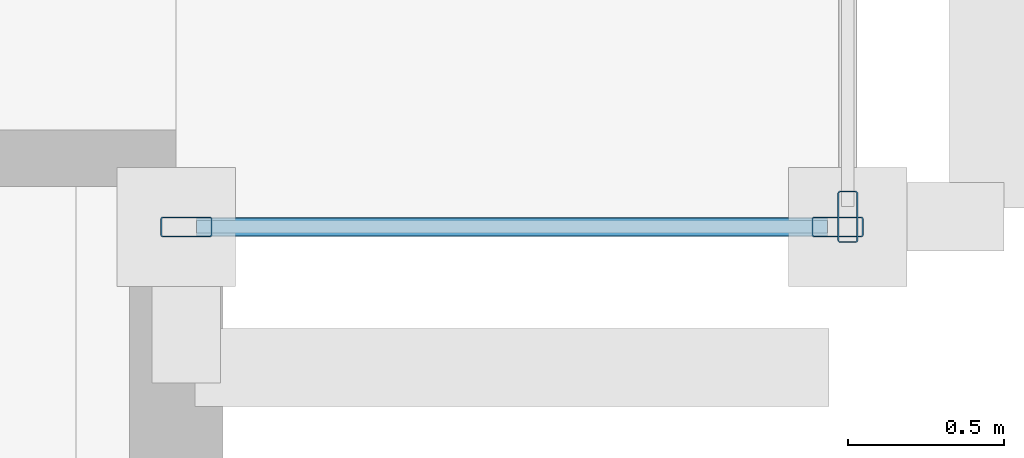
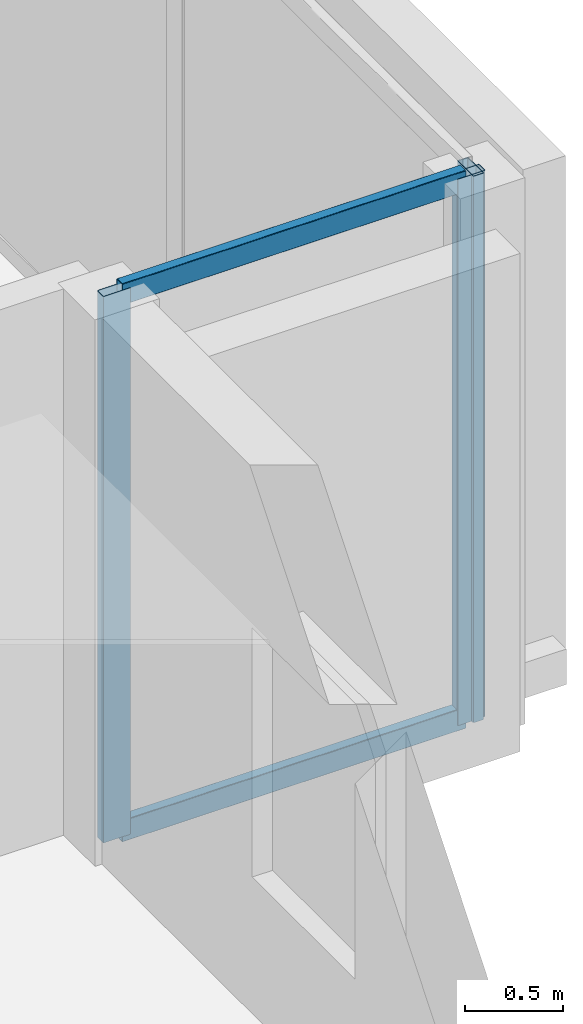
# One storey, part 4 of 15: 5 members, 2 elements without a shape of their own.
"""IFC4 building model written with IfcOpenShell, lengths in metres."""

from ifc_helpers import new_model, si_unit, direction, frame, origin, origin_2d, place, context, subcontext, project, spatial, hollow_rectangle, extrude, material, layer, layer_set, material_profile, profile_set, type_object, element, aggregate, save


model = new_model("IFC4")

# Units and contexts
model_context = context("Model", 3, precision=1e-05, world=origin(), true_north=direction((0.0, 1.0)))
body_context = subcontext(model_context, "Body", "Model", "MODEL_VIEW")
ifc_project = project(units=[si_unit("LENGTHUNIT", "METRE"), si_unit("AREAUNIT", "SQUARE_METRE"), si_unit("VOLUMEUNIT", "CUBIC_METRE"), si_unit("PLANEANGLEUNIT", "RADIAN"), si_unit("MASSUNIT", "GRAM", prefix="KILO")], contexts=[model_context])

# Site, building, storey
site_placement = place(None, origin())
site = spatial("IfcSite", under=ifc_project, at=site_placement, CompositionType="ELEMENT")
building_placement = place(site_placement, origin())
building = spatial("IfcBuilding", under=site, at=building_placement, Name="An Khanh Terracotta Commons", CompositionType="ELEMENT")
storey_placement = place(building_placement, frame((0.0, 0.0, 208.5)))
storey = spatial("IfcBuildingStorey", under=building, at=storey_placement, Name="L54", CompositionType="ELEMENT", Elevation=208.5)

# Curtain wall, member
ifc_material = material(Name="Anodised Aluminium 6063-T6", Category="aluminium")
ifc_layer = layer(ifc_material, 0.239990234375, Name="Anodised Aluminium 6063-T6")
ifc_layer_set = layer_set([ifc_layer], Name="Anodised Aluminium 6063-T6")
curtain_wall_type = type_object("IfcCurtainWallType", Name="CW-SYS-04", PredefinedType="USERDEFINED", material=ifc_layer_set)
curtain_wall_1_placement = place(storey_placement, origin())
curtain_wall_1 = element("IfcCurtainWall", 1, at=curtain_wall_1_placement, inside=storey, type_object=curtain_wall_type, Name="L54 CW-04 Unitised Curtain Wall CW-L54-EBOX-1", ObjectType="UNITISED CURTAIN WALL", PredefinedType="USERDEFINED")
ifc_material_profile_1 = material_profile(ifc_material, hollow_rectangle(XDim=0.06494140625, YDim=0.1650390625, WallThickness=0.00390625, InnerFilletRadius=0.00390625, OuterFilletRadius=0.008056640625, at=origin_2d()), Name="RHS165x65x4")
ifc_profile_set_1 = profile_set([ifc_material_profile_1], Name="Anodised Aluminium 6063-T6")
member_type_1 = type_object("IfcMemberType", Name="CWM-RHS165x65x4", PredefinedType="MULLION", material=ifc_profile_set_1)
member_1_placement = place(storey_placement, frame((70.75, 22.632568359375, 0.0), z_axis=(0.0, 0.0, 1.0), x_axis=(-1.0, 0.0, 0.0)))
member_1 = element("IfcMember", 2, at=member_1_placement, type_object=member_type_1, Name="CW-04 mullion 1", PredefinedType="MULLION", context=body_context, shape_type="SweptSolid", body=[
    extrude(hollow_rectangle(XDim=0.06494140625, YDim=0.1650390625, WallThickness=0.00390625, InnerFilletRadius=0.00390625, OuterFilletRadius=0.008056640625, at=origin_2d()), origin(), (0.0, 0.0, 1.0), 3.39990234375),
])
aggregate(curtain_wall_1, [member_1])

# Curtain wall, members
curtain_wall_2_placement = place(storey_placement, origin())
curtain_wall_2 = element("IfcCurtainWall", 3, at=curtain_wall_2_placement, inside=storey, type_object=curtain_wall_type, Name="L54 CW-04 Unitised Curtain Wall CW-L54-EBOX-2", ObjectType="UNITISED CURTAIN WALL", PredefinedType="USERDEFINED")
member_2_placement = place(storey_placement, frame((68.632568359375, 22.60009765625, 0.0), z_axis=(0.0, 0.0, 1.0), x_axis=(0.0, 1.0, 0.0)))
member_2 = element("IfcMember", 4, at=member_2_placement, type_object=member_type_1, Name="CW-04 mullion 1", PredefinedType="MULLION", context=body_context, shape_type="SweptSolid", body=[
    extrude(hollow_rectangle(XDim=0.06494140625, YDim=0.1650390625, WallThickness=0.00390625, InnerFilletRadius=0.00390625, OuterFilletRadius=0.008056640625, at=origin_2d()), origin(), (0.0, 0.0, 1.0), 3.39990234375),
])
member_3_placement = place(storey_placement, frame((70.717529296875, 22.60009765625, 0.0), z_axis=(0.0, 0.0, 1.0), x_axis=(0.0, 1.0, 0.0)))
member_3 = element("IfcMember", 5, at=member_3_placement, type_object=member_type_1, Name="CW-04 mullion 2", PredefinedType="MULLION", context=body_context, shape_type="SweptSolid", body=[
    extrude(hollow_rectangle(XDim=0.06494140625, YDim=0.1650390625, WallThickness=0.00390625, InnerFilletRadius=0.00390625, OuterFilletRadius=0.008056640625, at=origin_2d()), origin(), (0.0, 0.0, 1.0), 3.39990234375),
])
ifc_material_profile_2 = material_profile(ifc_material, hollow_rectangle(XDim=0.06005859375, YDim=0.135009765625, WallThickness=0.003662109375, InnerFilletRadius=0.003662109375, OuterFilletRadius=0.007080078125, at=origin_2d()), Name="RHS135x60x3.6")
ifc_profile_set_2 = profile_set([ifc_material_profile_2], Name="Anodised Aluminium 6063-T6")
member_type_2 = type_object("IfcMemberType", Name="CWT-RHS135x60x3.6", PredefinedType="USERDEFINED", material=ifc_profile_set_2)
member_4_placement = place(storey_placement, frame((68.6650390625, 22.60009765625, 0.030029296875), z_axis=(1.0, 0.0, 0.0), x_axis=(0.0, 1.0, 0.0)))
member_4 = element("IfcMember", 6, at=member_4_placement, type_object=member_type_2, Name="CW-04 transom 1.1", ObjectType="TRANSOM", PredefinedType="USERDEFINED", context=body_context, shape_type="SweptSolid", body=[
    extrude(hollow_rectangle(XDim=0.06005859375, YDim=0.135009765625, WallThickness=0.003662109375, InnerFilletRadius=0.003662109375, OuterFilletRadius=0.007080078125, at=origin_2d()), origin(), (0.0, 0.0, 1.0), 2.02001953125),
])
member_5_placement = place(storey_placement, frame((68.6650390625, 22.60009765625, 3.3701171875), z_axis=(1.0, 0.0, 0.0), x_axis=(0.0, 1.0, 0.0)))
member_5 = element("IfcMember", 7, at=member_5_placement, type_object=member_type_2, Name="CW-04 transom 1.2", ObjectType="TRANSOM", PredefinedType="USERDEFINED", context=body_context, shape_type="SweptSolid", body=[
    extrude(hollow_rectangle(XDim=0.06005859375, YDim=0.135009765625, WallThickness=0.003662109375, InnerFilletRadius=0.003662109375, OuterFilletRadius=0.007080078125, at=origin_2d()), origin(), (0.0, 0.0, 1.0), 2.02001953125),
])
aggregate(curtain_wall_2, [member_2, member_3, member_4, member_5])

save(model, "model.ifc")
